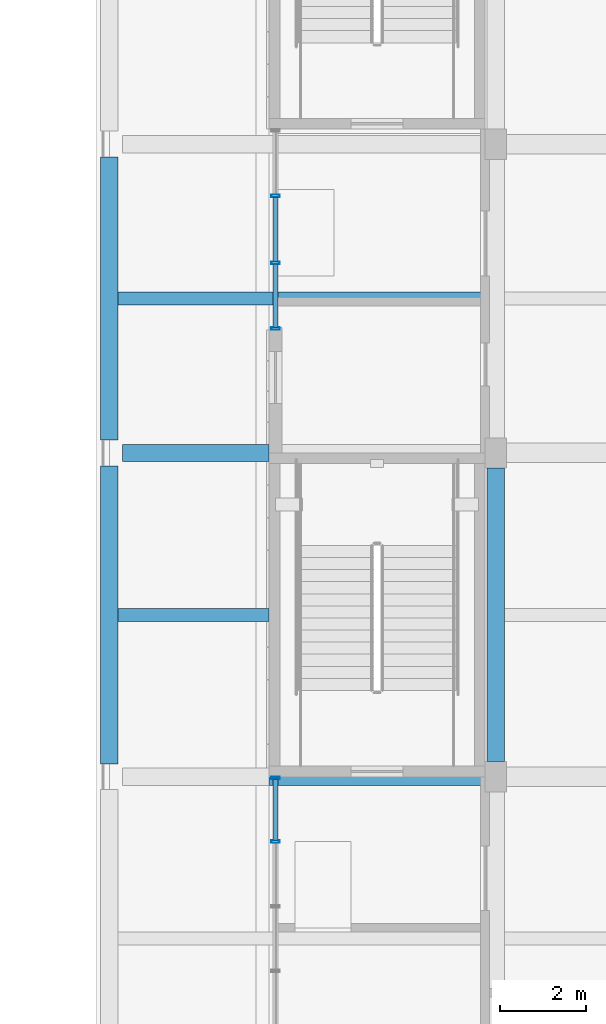
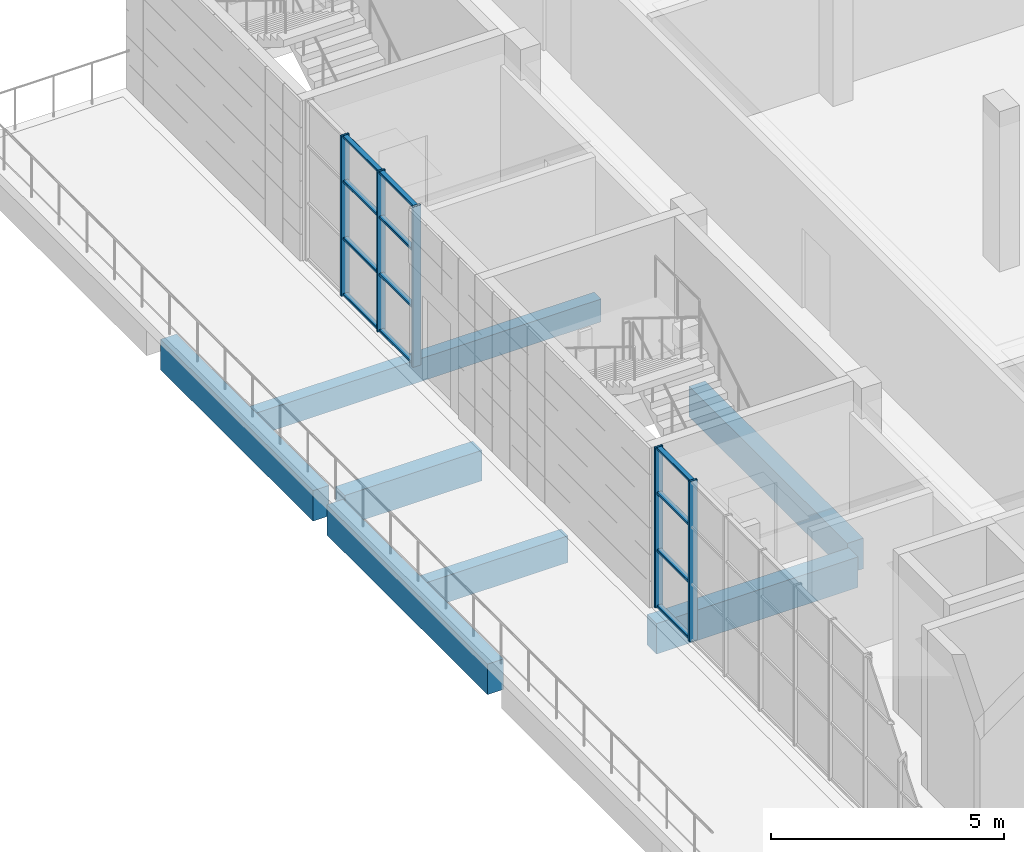
# One storey, part 11 of 36: 17 members, 7 beams, 2 elements without a shape of their own.
"""IFC4 building model written with IfcOpenShell, lengths in metres."""

from ifc_helpers import new_model, si_unit, direction, frame, origin, origin_2d, place, context, subcontext, project, spatial, rectangle, hollow_rectangle, extrude, material, material_profile, profile_set, type_object, element, aggregate, save


model = new_model("IFC4")

# Units and contexts
model_context = context("Model", 3, precision=1e-05, world=origin(), true_north=direction((0.0, 1.0)))
body_context = subcontext(model_context, "Body", "Model", "MODEL_VIEW")
ifc_project = project(units=[si_unit("LENGTHUNIT", "METRE"), si_unit("AREAUNIT", "SQUARE_METRE"), si_unit("VOLUMEUNIT", "CUBIC_METRE"), si_unit("PLANEANGLEUNIT", "RADIAN"), si_unit("MASSUNIT", "GRAM", prefix="KILO")], contexts=[model_context])

# Site, building, storey
site_placement = place(None, origin())
site = spatial("IfcSite", under=ifc_project, at=site_placement, CompositionType="ELEMENT")
building_placement = place(site_placement, origin())
building = spatial("IfcBuilding", under=site, at=building_placement, Name="Sun Court Science Centre", CompositionType="ELEMENT")
storey_placement = place(building_placement, frame((0.0, 0.0, 24.75)))
storey = spatial("IfcBuildingStorey", under=building, at=storey_placement, Name="L05", CompositionType="ELEMENT", Elevation=24.75)

# Curtain wall, members
ifc_material_1 = material(Name="Aluminium EN AW-6063 T6", Category="aluminium")
curtain_wall_type = type_object("IfcCurtainWallType", Name="Laboratory tall bay curtain wall 1500", PredefinedType="NOTDEFINED", material=ifc_material_1)
curtain_wall_1_placement = place(storey_placement, origin())
curtain_wall_1 = element("IfcCurtainWall", 1, at=curtain_wall_1_placement, inside=storey, type_object=curtain_wall_type, Name="Curtain wall V4 W5 L05 02", PredefinedType="NOTDEFINED")
ifc_material_2 = material(Name="Aluminium EN AW-6063 T6", Category="aluminium")
ifc_material_profile_1 = material_profile(ifc_material_2, hollow_rectangle(XDim=0.06005859375, YDim=0.199951171875, WallThickness=0.0048828125, InnerFilletRadius=0.0048828125, OuterFilletRadius=0.007568359375, at=origin_2d()), Name="AL 60x200x5")
ifc_profile_set_1 = profile_set([ifc_material_profile_1], Name="Aluminium EN AW-6063 T6")
member_type_1 = type_object("IfcMemberType", Name="Curtain wall mullion AL 60x200", PredefinedType="MULLION", material=ifc_profile_set_1)
member_1_placement = place(storey_placement, frame((82.14990234375, 57.0, 0.0), z_axis=(0.0, 0.0, 1.0), x_axis=(0.0, 1.0, 0.0)))
member_1 = element("IfcMember", 2, at=member_1_placement, type_object=member_type_1, Name="CW2-45 mullion 10", PredefinedType="MULLION", context=body_context, shape_type="SweptSolid", body=[
    extrude(hollow_rectangle(XDim=0.06005859375, YDim=0.199951171875, WallThickness=0.0048828125, InnerFilletRadius=0.0048828125, OuterFilletRadius=0.007568359375, at=origin_2d()), origin(), (0.0, 0.0, 1.0), 4.199951171875),
])
member_2_placement = place(storey_placement, frame((82.14990234375, 58.469970703125, 0.0), z_axis=(0.0, 0.0, 1.0), x_axis=(0.0, 1.0, 0.0)))
member_2 = element("IfcMember", 3, at=member_2_placement, type_object=member_type_1, Name="CW2-45 mullion 11", PredefinedType="MULLION", context=body_context, shape_type="SweptSolid", body=[
    extrude(hollow_rectangle(XDim=0.06005859375, YDim=0.199951171875, WallThickness=0.0048828125, InnerFilletRadius=0.0048828125, OuterFilletRadius=0.007568359375, at=origin_2d()), origin(), (0.0, 0.0, 1.0), 4.199951171875),
])

curtain_wall_2_placement = place(storey_placement, origin())
curtain_wall_2 = element("IfcCurtainWall", 4, at=curtain_wall_2_placement, inside=storey, type_object=curtain_wall_type, Name="Curtain wall V4 W5 L05 03", PredefinedType="NOTDEFINED")
member_3_placement = place(storey_placement, frame((82.14990234375, 68.8798828125, 0.0), z_axis=(0.0, 0.0, 1.0), x_axis=(0.0, 1.0, 0.0)))
member_3 = element("IfcMember", 5, at=member_3_placement, type_object=member_type_1, Name="CW2-46 mullion 1", PredefinedType="MULLION", context=body_context, shape_type="SweptSolid", body=[
    extrude(hollow_rectangle(XDim=0.06005859375, YDim=0.199951171875, WallThickness=0.0048828125, InnerFilletRadius=0.0048828125, OuterFilletRadius=0.007568359375, at=origin_2d()), origin(), (0.0, 0.0, 1.0), 4.199951171875),
])
member_4_placement = place(storey_placement, frame((82.14990234375, 70.39990234375, 0.0), z_axis=(0.0, 0.0, 1.0), x_axis=(0.0, 1.0, 0.0)))
member_4 = element("IfcMember", 6, at=member_4_placement, type_object=member_type_1, Name="CW2-46 mullion 2", PredefinedType="MULLION", context=body_context, shape_type="SweptSolid", body=[
    extrude(hollow_rectangle(XDim=0.06005859375, YDim=0.199951171875, WallThickness=0.0048828125, InnerFilletRadius=0.0048828125, OuterFilletRadius=0.007568359375, at=origin_2d()), origin(), (0.0, 0.0, 1.0), 4.199951171875),
])
member_5_placement = place(storey_placement, frame((82.14990234375, 71.949951171875, 0.0), z_axis=(0.0, 0.0, 1.0), x_axis=(0.0, 1.0, 0.0)))
member_5 = element("IfcMember", 7, at=member_5_placement, type_object=member_type_1, Name="CW2-46 mullion 3", PredefinedType="MULLION", context=body_context, shape_type="SweptSolid", body=[
    extrude(hollow_rectangle(XDim=0.06005859375, YDim=0.199951171875, WallThickness=0.0048828125, InnerFilletRadius=0.0048828125, OuterFilletRadius=0.007568359375, at=origin_2d()), origin(), (0.0, 0.0, 1.0), 4.199951171875),
])

# Member
ifc_material_3 = material(Name="Aluminium EN AW-6063 T6", Category="aluminium")
ifc_material_profile_2 = material_profile(ifc_material_3, hollow_rectangle(XDim=0.06005859375, YDim=0.1201171875, WallThickness=0.00390625, InnerFilletRadius=0.00390625, OuterFilletRadius=0.006103515625, at=origin_2d()), Name="AL 60x120x4")
ifc_profile_set_2 = profile_set([ifc_material_profile_2], Name="Aluminium EN AW-6063 T6")
member_type_2 = type_object("IfcMemberType", Name="Curtain wall transom AL 60x120", PredefinedType="USERDEFINED", material=ifc_profile_set_2)
member_6_placement = place(storey_placement, frame((82.14990234375, 57.030029296875, 0.030029296875), z_axis=(0.0, 1.0, 0.0), x_axis=(0.0, 0.0, 1.0)))
member_6 = element("IfcMember", 8, at=member_6_placement, type_object=member_type_2, Name="CW2-45 transom 10.1", ObjectType="TRANSOM", PredefinedType="USERDEFINED", context=body_context, shape_type="SweptSolid", body=[
    extrude(hollow_rectangle(XDim=0.06005859375, YDim=0.1201171875, WallThickness=0.00390625, InnerFilletRadius=0.00390625, OuterFilletRadius=0.006103515625, at=origin_2d()), origin(), (0.0, 0.0, 1.0), 1.409912109375),
])

member_7_placement = place(storey_placement, frame((82.14990234375, 57.030029296875, 1.5), z_axis=(0.0, 1.0, 0.0), x_axis=(0.0, 0.0, 1.0)))
member_7 = element("IfcMember", 9, at=member_7_placement, type_object=member_type_2, Name="CW2-45 transom 10.2", ObjectType="TRANSOM", PredefinedType="USERDEFINED", context=body_context, shape_type="SweptSolid", body=[
    extrude(hollow_rectangle(XDim=0.06005859375, YDim=0.1201171875, WallThickness=0.00390625, InnerFilletRadius=0.00390625, OuterFilletRadius=0.006103515625, at=origin_2d()), origin(), (0.0, 0.0, 1.0), 1.409912109375),
])

member_8_placement = place(storey_placement, frame((82.14990234375, 57.030029296875, 3.0), z_axis=(0.0, 1.0, 0.0), x_axis=(0.0, 0.0, 1.0)))
member_8 = element("IfcMember", 10, at=member_8_placement, type_object=member_type_2, Name="CW2-45 transom 10.3", ObjectType="TRANSOM", PredefinedType="USERDEFINED", context=body_context, shape_type="SweptSolid", body=[
    extrude(hollow_rectangle(XDim=0.06005859375, YDim=0.1201171875, WallThickness=0.00390625, InnerFilletRadius=0.00390625, OuterFilletRadius=0.006103515625, at=origin_2d()), origin(), (0.0, 0.0, 1.0), 1.409912109375),
])

member_9_placement = place(storey_placement, frame((82.14990234375, 57.030029296875, 4.169921875), z_axis=(0.0, 1.0, 0.0), x_axis=(0.0, 0.0, 1.0)))
member_9 = element("IfcMember", 11, at=member_9_placement, type_object=member_type_2, Name="CW2-45 transom 10.4", ObjectType="TRANSOM", PredefinedType="USERDEFINED", context=body_context, shape_type="SweptSolid", body=[
    extrude(hollow_rectangle(XDim=0.06005859375, YDim=0.1201171875, WallThickness=0.00390625, InnerFilletRadius=0.00390625, OuterFilletRadius=0.006103515625, at=origin_2d()), origin(), (0.0, 0.0, 1.0), 1.409912109375),
])

aggregate(curtain_wall_1, [member_1, member_2, member_6, member_7, member_8, member_9])

member_10_placement = place(storey_placement, frame((82.14990234375, 68.909912109375, 0.030029296875), z_axis=(0.0, 1.0, 0.0), x_axis=(0.0, 0.0, 1.0)))
member_10 = element("IfcMember", 12, at=member_10_placement, type_object=member_type_2, Name="CW2-46 transom 1.1", ObjectType="TRANSOM", PredefinedType="USERDEFINED", context=body_context, shape_type="SweptSolid", body=[
    extrude(hollow_rectangle(XDim=0.06005859375, YDim=0.1201171875, WallThickness=0.00390625, InnerFilletRadius=0.00390625, OuterFilletRadius=0.006103515625, at=origin_2d()), origin(), (0.0, 0.0, 1.0), 1.460205078125),
])

member_11_placement = place(storey_placement, frame((82.14990234375, 70.429931640625, 0.030029296875), z_axis=(0.0, 1.0, 0.0), x_axis=(0.0, 0.0, 1.0)))
member_11 = element("IfcMember", 13, at=member_11_placement, type_object=member_type_2, Name="CW2-46 transom 2.1", ObjectType="TRANSOM", PredefinedType="USERDEFINED", context=body_context, shape_type="SweptSolid", body=[
    extrude(hollow_rectangle(XDim=0.06005859375, YDim=0.1201171875, WallThickness=0.00390625, InnerFilletRadius=0.00390625, OuterFilletRadius=0.006103515625, at=origin_2d()), origin(), (0.0, 0.0, 1.0), 1.489990234375),
])

member_12_placement = place(storey_placement, frame((82.14990234375, 68.909912109375, 1.5), z_axis=(0.0, 1.0, 0.0), x_axis=(0.0, 0.0, 1.0)))
member_12 = element("IfcMember", 14, at=member_12_placement, type_object=member_type_2, Name="CW2-46 transom 1.2", ObjectType="TRANSOM", PredefinedType="USERDEFINED", context=body_context, shape_type="SweptSolid", body=[
    extrude(hollow_rectangle(XDim=0.06005859375, YDim=0.1201171875, WallThickness=0.00390625, InnerFilletRadius=0.00390625, OuterFilletRadius=0.006103515625, at=origin_2d()), origin(), (0.0, 0.0, 1.0), 1.460205078125),
])

member_13_placement = place(storey_placement, frame((82.14990234375, 70.429931640625, 1.5), z_axis=(0.0, 1.0, 0.0), x_axis=(0.0, 0.0, 1.0)))
member_13 = element("IfcMember", 15, at=member_13_placement, type_object=member_type_2, Name="CW2-46 transom 2.2", ObjectType="TRANSOM", PredefinedType="USERDEFINED", context=body_context, shape_type="SweptSolid", body=[
    extrude(hollow_rectangle(XDim=0.06005859375, YDim=0.1201171875, WallThickness=0.00390625, InnerFilletRadius=0.00390625, OuterFilletRadius=0.006103515625, at=origin_2d()), origin(), (0.0, 0.0, 1.0), 1.489990234375),
])

member_14_placement = place(storey_placement, frame((82.14990234375, 68.909912109375, 3.0), z_axis=(0.0, 1.0, 0.0), x_axis=(0.0, 0.0, 1.0)))
member_14 = element("IfcMember", 16, at=member_14_placement, type_object=member_type_2, Name="CW2-46 transom 1.3", ObjectType="TRANSOM", PredefinedType="USERDEFINED", context=body_context, shape_type="SweptSolid", body=[
    extrude(hollow_rectangle(XDim=0.06005859375, YDim=0.1201171875, WallThickness=0.00390625, InnerFilletRadius=0.00390625, OuterFilletRadius=0.006103515625, at=origin_2d()), origin(), (0.0, 0.0, 1.0), 1.460205078125),
])

member_15_placement = place(storey_placement, frame((82.14990234375, 70.429931640625, 3.0), z_axis=(0.0, 1.0, 0.0), x_axis=(0.0, 0.0, 1.0)))
member_15 = element("IfcMember", 17, at=member_15_placement, type_object=member_type_2, Name="CW2-46 transom 2.3", ObjectType="TRANSOM", PredefinedType="USERDEFINED", context=body_context, shape_type="SweptSolid", body=[
    extrude(hollow_rectangle(XDim=0.06005859375, YDim=0.1201171875, WallThickness=0.00390625, InnerFilletRadius=0.00390625, OuterFilletRadius=0.006103515625, at=origin_2d()), origin(), (0.0, 0.0, 1.0), 1.489990234375),
])

member_16_placement = place(storey_placement, frame((82.14990234375, 68.909912109375, 4.169921875), z_axis=(0.0, 1.0, 0.0), x_axis=(0.0, 0.0, 1.0)))
member_16 = element("IfcMember", 18, at=member_16_placement, type_object=member_type_2, Name="CW2-46 transom 1.4", ObjectType="TRANSOM", PredefinedType="USERDEFINED", context=body_context, shape_type="SweptSolid", body=[
    extrude(hollow_rectangle(XDim=0.06005859375, YDim=0.1201171875, WallThickness=0.00390625, InnerFilletRadius=0.00390625, OuterFilletRadius=0.006103515625, at=origin_2d()), origin(), (0.0, 0.0, 1.0), 1.460205078125),
])

member_17_placement = place(storey_placement, frame((82.14990234375, 70.429931640625, 4.169921875), z_axis=(0.0, 1.0, 0.0), x_axis=(0.0, 0.0, 1.0)))
member_17 = element("IfcMember", 19, at=member_17_placement, type_object=member_type_2, Name="CW2-46 transom 2.4", ObjectType="TRANSOM", PredefinedType="USERDEFINED", context=body_context, shape_type="SweptSolid", body=[
    extrude(hollow_rectangle(XDim=0.06005859375, YDim=0.1201171875, WallThickness=0.00390625, InnerFilletRadius=0.00390625, OuterFilletRadius=0.006103515625, at=origin_2d()), origin(), (0.0, 0.0, 1.0), 1.489990234375),
])

aggregate(curtain_wall_2, [member_3, member_4, member_5, member_10, member_11, member_12, member_13, member_14, member_15, member_16, member_17])

# Beams
ifc_material_4 = material(Name="Concrete C25/30", Category="concrete")
ifc_material_profile_3 = material_profile(ifc_material_4, rectangle(XDim=0.39990234375, YDim=0.800048828125, at=origin_2d()), Name="RC 400x800")
ifc_profile_set_3 = profile_set([ifc_material_profile_3], Name="Concrete C25/30")
beam_type_1 = type_object("IfcBeamType", Name="RC girder 400x800", PredefinedType="BEAM", material=ifc_profile_set_3)
beam_1_placement = place(storey_placement, frame((82.0, 58.5, -0.699951171875), z_axis=(1.0, 0.0, 0.0), x_axis=(0.0, 1.0, 0.0)))
element("IfcBeam", 20, at=beam_1_placement, inside=storey, type_object=beam_type_1, Name="Girder L05 row 5", PredefinedType="BEAM", context=body_context, shape_type="SweptSolid", body=[
    extrude(rectangle(XDim=0.39990234375, YDim=0.800048828125, at=origin_2d()), origin(), (0.0, 0.0, 1.0), 5.0),
])
beam_2_placement = place(storey_placement, frame((78.60009765625, 66.0, -0.699951171875), z_axis=(1.0, 0.0, 0.0), x_axis=(0.0, 1.0, 0.0)))
element("IfcBeam", 21, at=beam_2_placement, inside=storey, type_object=beam_type_1, Name="Girder L05 row 6", PredefinedType="BEAM", context=body_context, shape_type="SweptSolid", body=[
    extrude(rectangle(XDim=0.39990234375, YDim=0.800048828125, at=origin_2d()), origin(), (0.0, 0.0, 1.0), 3.39990234375),
])
beam_3_placement = place(storey_placement, frame((78.300048828125, 58.800048828125, -0.699951171875), z_axis=(0.0, 1.0, 0.0), x_axis=(-1.0, 0.0, 0.0)))
element("IfcBeam", 22, at=beam_3_placement, inside=storey, type_object=beam_type_1, Name="Girder L05 line 1", PredefinedType="BEAM", context=body_context, shape_type="SweptSolid", body=[
    extrude(rectangle(XDim=0.39990234375, YDim=0.800048828125, at=origin_2d()), origin(), (0.0, 0.0, 1.0), 6.89990234375),
])
beam_4_placement = place(storey_placement, frame((78.300048828125, 66.300048828125, -0.699951171875), z_axis=(0.0, 1.0, 0.0), x_axis=(-1.0, 0.0, 0.0)))
element("IfcBeam", 23, at=beam_4_placement, inside=storey, type_object=beam_type_1, Name="Girder L05 line 1", PredefinedType="BEAM", context=body_context, shape_type="SweptSolid", body=[
    extrude(rectangle(XDim=0.39990234375, YDim=0.800048828125, at=origin_2d()), origin(), (0.0, 0.0, 1.0), 6.550048828125),
])
beam_5_placement = place(storey_placement, frame((87.25, 58.85009765625, -0.699951171875), z_axis=(0.0, 1.0, 0.0), x_axis=(-1.0, 0.0, 0.0)))
element("IfcBeam", 24, at=beam_5_placement, inside=storey, type_object=beam_type_1, Name="Girder L05 line 2", PredefinedType="BEAM", context=body_context, shape_type="SweptSolid", body=[
    extrude(rectangle(XDim=0.39990234375, YDim=0.800048828125, at=origin_2d()), origin(), (0.0, 0.0, 1.0), 6.7998046875),
])
ifc_material_5 = material(Name="Concrete C25/30", Category="concrete")
ifc_material_profile_4 = material_profile(ifc_material_5, rectangle(XDim=0.300048828125, YDim=0.60009765625, at=origin_2d()), Name="RC 300x600")
ifc_profile_set_4 = profile_set([ifc_material_profile_4], Name="Concrete C25/30")
beam_type_2 = type_object("IfcBeamType", Name="RC joist 300x600", PredefinedType="JOIST", material=ifc_profile_set_4)
beam_6_placement = place(storey_placement, frame((78.5, 69.574951171875, -0.60009765625), z_axis=(1.0, 0.0, 0.0), x_axis=(0.0, 1.0, 0.0)))
element("IfcBeam", 25, at=beam_6_placement, inside=storey, type_object=beam_type_2, Name="Joist L05", PredefinedType="JOIST", context=body_context, shape_type="SweptSolid", body=[
    extrude(rectangle(XDim=0.300048828125, YDim=0.60009765625, at=origin_2d()), origin(), (0.0, 0.0, 1.0), 8.550048828125),
])
ifc_material_6 = material(Name="Concrete C25/30", Category="concrete")
ifc_material_profile_5 = material_profile(ifc_material_6, rectangle(XDim=0.300048828125, YDim=0.699951171875, at=origin_2d()), Name="RC 300x700")
ifc_profile_set_5 = profile_set([ifc_material_profile_5], Name="Concrete C25/30")
beam_type_3 = type_object("IfcBeamType", Name="RC joist 300x700", PredefinedType="JOIST", material=ifc_profile_set_5)
beam_7_placement = place(storey_placement, frame((78.5, 62.25, -0.64990234375), z_axis=(1.0, 0.0, 0.0), x_axis=(0.0, 1.0, 0.0)))
element("IfcBeam", 26, at=beam_7_placement, inside=storey, type_object=beam_type_3, Name="Joist L05", PredefinedType="JOIST", context=body_context, shape_type="SweptSolid", body=[
    extrude(rectangle(XDim=0.300048828125, YDim=0.699951171875, at=origin_2d()), origin(), (0.0, 0.0, 1.0), 3.5),
])

save(model, "model.ifc")
